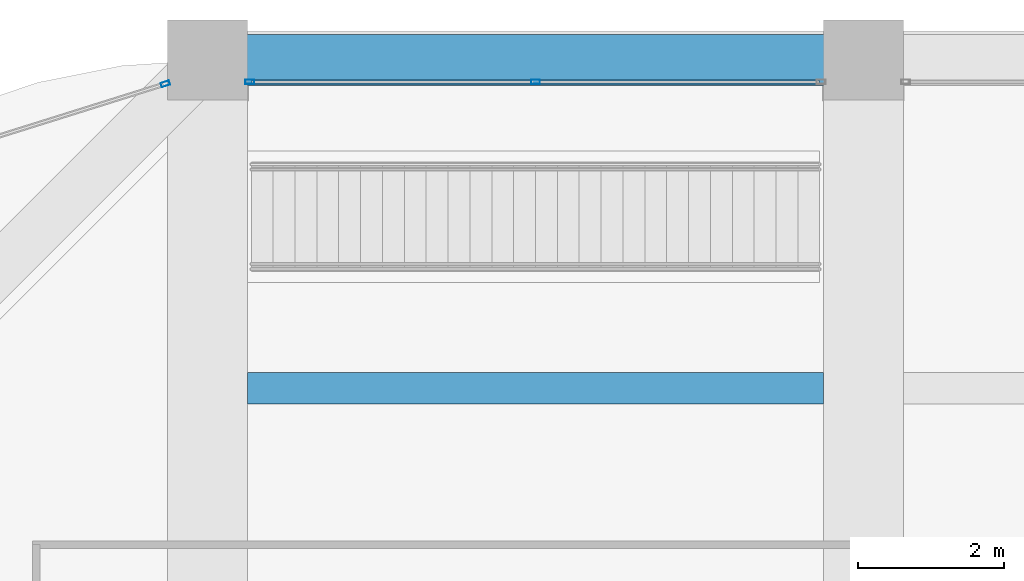
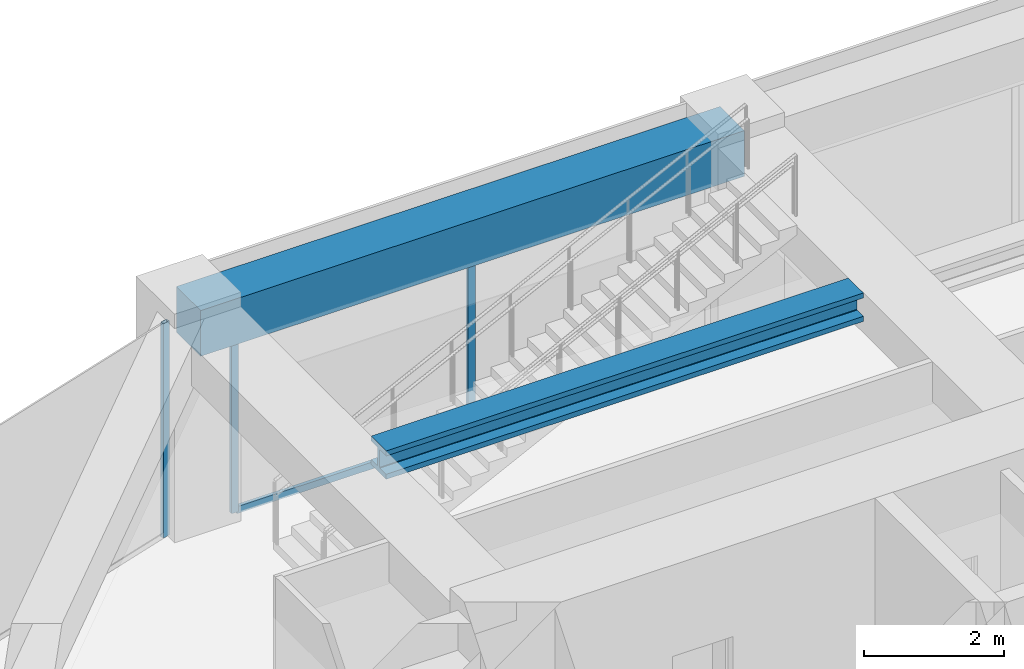
# One storey, part 31 of 44: 4 members, 2 beams, 2 elements without a shape of their own.
"""IFC4 building model written with IfcOpenShell, lengths in metres."""

from ifc_helpers import new_model, si_unit, direction, frame, origin, origin_2d, place, context, subcontext, project, spatial, rectangle, hollow_rectangle, i_section, extrude, material, material_profile, profile_set, type_object, element, aggregate, save


model = new_model("IFC4")

# Units and contexts
model_context = context("Model", 3, precision=1e-05, world=origin(), true_north=direction((0.0, 1.0)))
body_context = subcontext(model_context, "Body", "Model", "MODEL_VIEW")
ifc_project = project(units=[si_unit("LENGTHUNIT", "METRE"), si_unit("AREAUNIT", "SQUARE_METRE"), si_unit("VOLUMEUNIT", "CUBIC_METRE"), si_unit("PLANEANGLEUNIT", "RADIAN"), si_unit("MASSUNIT", "GRAM", prefix="KILO")], contexts=[model_context])

# Site, building, storey
site_placement = place(None, origin())
site = spatial("IfcSite", under=ifc_project, at=site_placement, CompositionType="ELEMENT")
building_placement = place(site_placement, origin())
building = spatial("IfcBuilding", under=site, at=building_placement, Name="Zorevar Civic Tower", CompositionType="ELEMENT")
storey_placement = place(building_placement, frame((0.0, 0.0, 271.39990234375)))
storey = spatial("IfcBuildingStorey", under=building, at=storey_placement, Name="L66", CompositionType="ELEMENT", Elevation=271.39990234375)

# Curtain wall, members
ifc_material_1 = material(Name="Dark grey solar-control glass in black aluminium frame", Category="aluminium")
curtain_wall_type = type_object("IfcCurtainWallType", Name="Curtain wall CW5 top zone", PredefinedType="NOTDEFINED", material=ifc_material_1)
curtain_wall_1_placement = place(storey_placement, origin())
curtain_wall_1 = element("IfcCurtainWall", 1, at=curtain_wall_1_placement, inside=storey, type_object=curtain_wall_type, Name="CW5 L66", PredefinedType="NOTDEFINED")
ifc_material_2 = material(Name="Aluminium, black anodised", Category="aluminium")
ifc_material_profile_1 = material_profile(ifc_material_2, hollow_rectangle(XDim=0.06005859375, YDim=0.1201171875, WallThickness=0.0029296875, at=origin_2d()), Name="AL 120x60x3")
ifc_profile_set_1 = profile_set([ifc_material_profile_1], Name="Aluminium, black anodised")
member_type_1 = type_object("IfcMemberType", Name="CW5 mullion AL 120x60x3", PredefinedType="MULLION", material=ifc_profile_set_1)
member_1_placement = place(storey_placement, frame((18.580078125, 44.699951171875, 0.0), z_axis=(0.0, 0.0, 1.0), x_axis=(0.0, 1.0, 0.0)))
member_1 = element("IfcMember", 2, at=member_1_placement, type_object=member_type_1, Name="CW5 mullion 1", PredefinedType="MULLION", context=body_context, shape_type="SweptSolid", body=[
    extrude(hollow_rectangle(XDim=0.06005859375, YDim=0.1201171875, WallThickness=0.0029296875, at=origin_2d()), origin(), (0.0, 0.0, 1.0), 2.9501953125),
])
member_2_placement = place(storey_placement, frame((22.5, 44.699951171875, 0.06005859375), z_axis=(0.0, 0.0, 1.0), x_axis=(0.0, 1.0, 0.0)))
member_2 = element("IfcMember", 3, at=member_2_placement, type_object=member_type_1, Name="CW5 mullion 2", PredefinedType="MULLION", context=body_context, shape_type="SweptSolid", body=[
    extrude(hollow_rectangle(XDim=0.06005859375, YDim=0.1201171875, WallThickness=0.0029296875, at=origin_2d()), origin(), (0.0, 0.0, 1.0), 2.89013671875),
])

# Curtain wall, member
curtain_wall_2_placement = place(storey_placement, origin())
curtain_wall_2 = element("IfcCurtainWall", 4, at=curtain_wall_2_placement, inside=storey, type_object=curtain_wall_type, Name="CW5 L66", PredefinedType="NOTDEFINED")
member_3_placement = place(storey_placement, frame((17.42138671875, 44.673583984375, 0.0), z_axis=(0.0, 0.0, 1.0), x_axis=(0.299317920238, -0.954153437674, 0.0)))
member_3 = element("IfcMember", 5, at=member_3_placement, type_object=member_type_1, Name="CW5 mullion 1", PredefinedType="MULLION", context=body_context, shape_type="SweptSolid", body=[
    extrude(hollow_rectangle(XDim=0.06005859375, YDim=0.1201171875, WallThickness=0.0029296875, at=origin_2d()), origin(), (0.0, 0.0, 1.0), 3.75),
])
aggregate(curtain_wall_2, [member_3])

# Member
ifc_material_3 = material(Name="Aluminium, black anodised", Category="aluminium")
ifc_material_profile_2 = material_profile(ifc_material_3, hollow_rectangle(XDim=0.06005859375, YDim=0.1201171875, WallThickness=0.0029296875, at=origin_2d()), Name="AL 120x60x3")
ifc_profile_set_2 = profile_set([ifc_material_profile_2], Name="Aluminium, black anodised")
member_type_2 = type_object("IfcMemberType", Name="CW5 transom AL 120x60x3", PredefinedType="USERDEFINED", material=ifc_profile_set_2)
member_4_placement = place(storey_placement, frame((18.610107421875, 44.699951171875, 0.030029296875), z_axis=(1.0, 0.0, 0.0), x_axis=(0.0, 1.0, 0.0)))
member_4 = element("IfcMember", 6, at=member_4_placement, type_object=member_type_2, Name="CW5 sill transom", ObjectType="TRANSOM", PredefinedType="USERDEFINED", context=body_context, shape_type="SweptSolid", body=[
    extrude(hollow_rectangle(XDim=0.06005859375, YDim=0.1201171875, WallThickness=0.0029296875, at=origin_2d()), origin(), (0.0, 0.0, 1.0), 7.77978515625),
])

aggregate(curtain_wall_1, [member_1, member_2, member_4])

# Beams
ifc_material_4 = material(Name="Steel S460M (HISTAR 460)", Category="steel")
ifc_material_profile_3 = material_profile(ifc_material_4, i_section(OverallWidth=0.431884765625, OverallDepth=0.498046875, WebThickness=0.0556640625, FlangeThickness=0.0888671875, FilletRadius=0.014892578125, at=origin_2d()), Name="HD 400x744")
ifc_profile_set_3 = profile_set([ifc_material_profile_3], Name="Steel S460M (HISTAR 460)")
beam_type_1 = type_object("IfcBeamType", Name="Core bay beam HD 400x744", PredefinedType="BEAM", material=ifc_profile_set_3)
beam_1_placement = place(storey_placement, frame((18.550048828125, 40.5, 3.5009765625), z_axis=(1.0, 0.0, 0.0), x_axis=(0.0, 1.0, 0.0)))
element("IfcBeam", 7, at=beam_1_placement, inside=storey, type_object=beam_type_1, Name="Secondary beam L67", PredefinedType="BEAM", context=body_context, shape_type="SweptSolid", body=[
    extrude(i_section(OverallWidth=0.431884765625, OverallDepth=0.498046875, WebThickness=0.0556640625, FlangeThickness=0.0888671875, FilletRadius=0.014892578125, at=origin_2d()), origin(), (0.0, 0.0, 1.0), 7.89990234375),
])
ifc_material_5 = material(Name="Concrete C50/60", Category="concrete")
ifc_material_profile_4 = material_profile(ifc_material_5, rectangle(XDim=0.699951171875, YDim=0.800048828125, at=origin_2d()), Name="RC 700x800")
ifc_profile_set_4 = profile_set([ifc_material_profile_4], Name="Concrete C50/60")
beam_type_2 = type_object("IfcBeamType", Name="Edge beam RC 700x800", PredefinedType="SPANDREL", material=ifc_profile_set_4)
beam_2_placement = place(storey_placement, frame((18.0, 45.0, 3.35009765625), z_axis=(1.0, 0.0, 0.0), x_axis=(0.0, 1.0, 0.0)))
element("IfcBeam", 8, at=beam_2_placement, inside=storey, type_object=beam_type_2, Name="Edge beam L67", PredefinedType="SPANDREL", context=body_context, shape_type="SweptSolid", body=[
    extrude(rectangle(XDim=0.699951171875, YDim=0.800048828125, at=origin_2d()), origin(), (0.0, 0.0, 1.0), 9.0),
])

save(model, "model.ifc")
